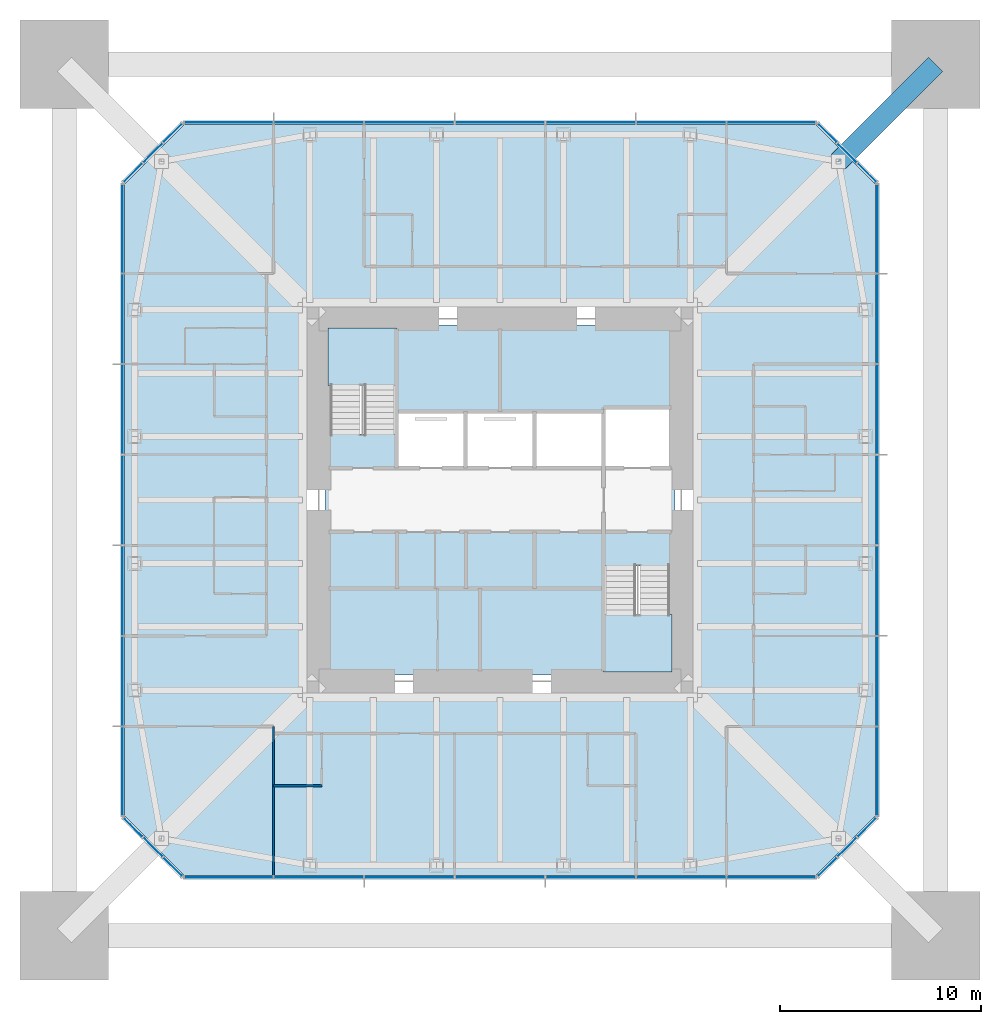
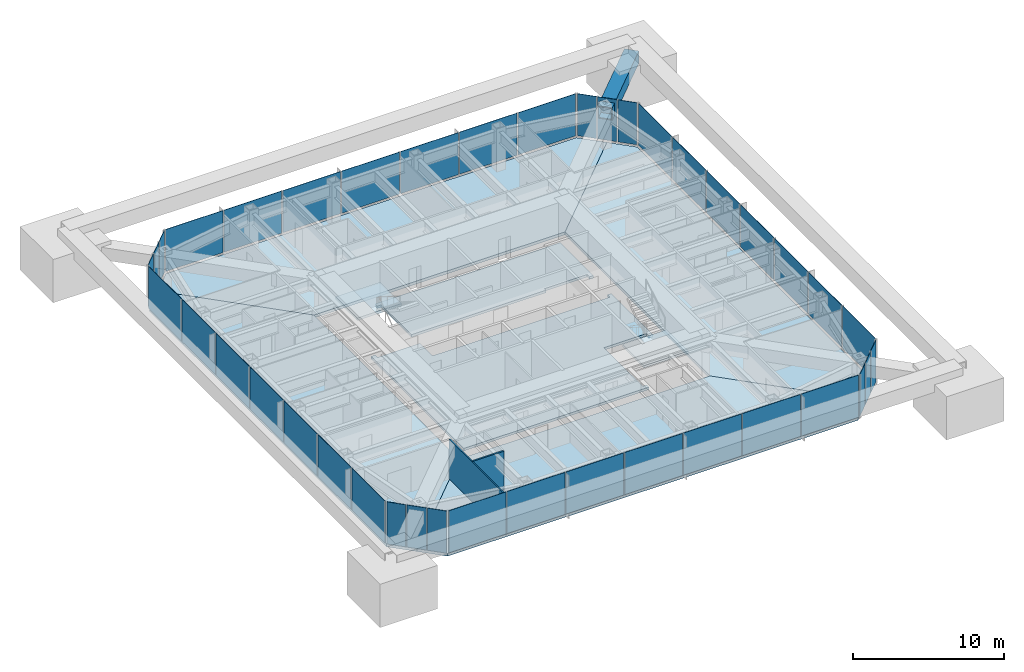
# One storey, part 9 of 15: 40 plates, 8 slabs, 2 walls, 1 member, 10 elements without a shape of their own.
"""IFC4 building model written with IfcOpenShell, lengths in metres."""

from ifc_helpers import new_model, si_unit, direction, frame, frame_2d, origin, origin_2d, place, context, subcontext, project, spatial, polyline, rectangle, hollow_rectangle, outline, extrude, material, layer, layer_set, constituent, constituent_set, material_profile, profile_set, type_object, element, aggregate, save


model = new_model("IFC4")

# Units and contexts
model_context = context("Model", 3, precision=1e-05, world=origin(), true_north=direction((0.0, 1.0)))
body_context = subcontext(model_context, "Body", "Model", "MODEL_VIEW")
ifc_project = project(units=[si_unit("LENGTHUNIT", "METRE"), si_unit("AREAUNIT", "SQUARE_METRE"), si_unit("VOLUMEUNIT", "CUBIC_METRE"), si_unit("PLANEANGLEUNIT", "RADIAN"), si_unit("MASSUNIT", "GRAM", prefix="KILO")], contexts=[model_context])

# Site, building, storey
site_placement = place(None, origin())
site = spatial("IfcSite", under=ifc_project, at=site_placement, CompositionType="ELEMENT")
building_placement = place(site_placement, origin())
building = spatial("IfcBuilding", under=site, at=building_placement, Name="Iwan Alto Co-Living Towers", CompositionType="ELEMENT")
storey_placement = place(building_placement, frame((0.0, 0.0, 205.5)))
storey = spatial("IfcBuildingStorey", under=building, at=storey_placement, Name="L56", CompositionType="ELEMENT", Elevation=205.5)

# Member
ifc_material_1 = material(Name="Steel ASTM A572 Gr 50", Category="steel")
ifc_material_profile = material_profile(ifc_material_1, hollow_rectangle(XDim=1.0, YDim=1.0, WallThickness=0.070068359375, at=origin_2d()), Name="BOX 1000X1000X70")
ifc_profile_set = profile_set([ifc_material_profile], Name="Steel ASTM A572 Gr 50")
member_type = type_object("IfcMemberType", Name="T1 OUTRIGGER CHORD BOX 1000X1000X70", PredefinedType="CHORD", material=ifc_profile_set)
member_placement = place(storey_placement, frame((16.82568359375, 16.82568359375, 2.699951171875), z_axis=(0.707106781187, 0.707106781187, 0.0), x_axis=(-0.707106781187, 0.707106781187, 0.0)))
element("IfcMember", 1, at=member_placement, inside=storey, type_object=member_type, Name="T1 outrigger NE L57 bottom chord 2", PredefinedType="CHORD", context=body_context, shape_type="SweptSolid", body=[
    extrude(hollow_rectangle(XDim=1.0, YDim=1.0, WallThickness=0.070068359375, at=origin_2d()), origin(), (0.0, 0.0, 1.0), 6.822509765625),
])

# Slabs
ifc_material_2 = material(Name="Concrete f'c 30 MPa", Category="concrete")
ifc_layer_1 = layer(ifc_material_2, 0.199951171875)
ifc_layer_set_1 = layer_set([ifc_layer_1], Name="CORE FLOOR SLAB 200")
slab_type_1 = type_object("IfcSlabType", Name="CORE FLOOR SLAB 200", PredefinedType="FLOOR", material=ifc_layer_set_1)
slab_1_placement = place(storey_placement, frame((0.0, 0.0, -0.199951171875)))
element("IfcSlab", 2, at=slab_1_placement, inside=storey, type_object=slab_type_1, Name="T1 core floor L56", PredefinedType="FLOOR", context=body_context, shape_type="SweptSolid", body=[
    extrude(outline(polyline([(5.14990234375, -8.39990234375), (5.4599609375, -8.39990234375), (5.4599609375, -8.699951171875), (-8.699951171875, -8.699951171875), (-8.699951171875, 3.580078125), (-8.39990234375, 3.580078125), (-8.39990234375, 3.27001953125), (-5.14990234375, 3.27001953125), (-5.14990234375, 1.60009765625), (-1.717041015625, 1.60009765625), (1.717041015625, 1.60009765625), (5.14990234375, 1.60009765625), (8.39990234375, 1.60009765625), (8.39990234375, 1.909912109375), (8.699951171875, 1.909912109375), (8.699951171875, -3.580078125), (8.39990234375, -3.580078125), (8.39990234375, -3.27001953125), (5.14990234375, -3.27001953125), (5.14990234375, -8.39990234375)])), origin(), (0.0, 0.0, 1.0), 0.199951171875),
])
slab_2_placement = place(storey_placement, frame((0.0, 0.0, -0.199951171875)))
element("IfcSlab", 3, at=slab_2_placement, inside=storey, type_object=slab_type_1, Name="T1 core floor L56", PredefinedType="FLOOR", context=body_context, shape_type="SweptSolid", body=[
    extrude(outline(polyline([(1.717041015625, 4.39990234375), (-1.717041015625, 4.39990234375), (-5.14990234375, 4.39990234375), (-5.14990234375, 8.39990234375), (-5.4599609375, 8.39990234375), (-5.4599609375, 8.699951171875), (8.699951171875, 8.699951171875), (8.699951171875, 4.2900390625), (8.39990234375, 4.2900390625), (8.39990234375, 4.60009765625), (5.14990234375, 4.60009765625), (5.14990234375, 4.39990234375), (1.717041015625, 4.39990234375)])), origin(), (0.0, 0.0, 1.0), 0.199951171875),
])

# Curtain wall, plates
ifc_material_3 = material(Name="Bronze aluminium unitised frame", Category="aluminium")
curtain_wall_type_1 = type_object("IfcCurtainWallType", Name="CURTAIN WALL CW-A", PredefinedType="NOTDEFINED", material=ifc_material_3)
curtain_wall_1_placement = place(storey_placement, origin())
curtain_wall_1 = element("IfcCurtainWall", 4, at=curtain_wall_1_placement, inside=storey, type_object=curtain_wall_type_1, Name="T1 curtain wall S L56", PredefinedType="NOTDEFINED")
ifc_material_4 = material(Name="Bronze-tinted insulating glass", Category="glass")
ifc_layer_2 = layer(ifc_material_4, 0.031982421875)
ifc_layer_set_2 = layer_set([ifc_layer_2], Name="CW-A PANEL TINTED IGU 32")
plate_type_1 = type_object("IfcPlateType", Name="CW-A PANEL TINTED IGU 32", PredefinedType="CURTAIN_PANEL", material=ifc_layer_set_2)
plate_1_placement = place(storey_placement, frame((-13.47998046875, -18.75, 0.10009765625), z_axis=(0.0, 0.0, 1.0), x_axis=(1.0, 0.0, 0.0)))
plate_1 = element("IfcPlate", 5, at=plate_1_placement, type_object=plate_type_1, Name="CW-A panel 1.1", PredefinedType="CURTAIN_PANEL", context=body_context, shape_type="SweptSolid", body=[
    extrude(rectangle(XDim=4.3798828125, YDim=0.031982421875, at=origin_2d()), origin(), (0.0, 0.0, 1.0), 3.39990234375),
])
plate_2_placement = place(storey_placement, frame((-9.0, -18.75, 0.10009765625), z_axis=(0.0, 0.0, 1.0), x_axis=(1.0, 0.0, 0.0)))
plate_2 = element("IfcPlate", 6, at=plate_2_placement, type_object=plate_type_1, Name="CW-A panel 2.1", PredefinedType="CURTAIN_PANEL", context=body_context, shape_type="SweptSolid", body=[
    extrude(rectangle(XDim=4.419921875, YDim=0.031982421875, at=origin_2d()), origin(), (0.0, 0.0, 1.0), 3.39990234375),
])
plate_3_placement = place(storey_placement, frame((-4.5, -18.75, 0.10009765625), z_axis=(0.0, 0.0, 1.0), x_axis=(1.0, 0.0, 0.0)))
plate_3 = element("IfcPlate", 7, at=plate_3_placement, type_object=plate_type_1, Name="CW-A panel 3.1", PredefinedType="CURTAIN_PANEL", context=body_context, shape_type="SweptSolid", body=[
    extrude(rectangle(XDim=4.419921875, YDim=0.031982421875, at=origin_2d()), origin(), (0.0, 0.0, 1.0), 3.39990234375),
])
plate_4_placement = place(storey_placement, frame((0.0, -18.75, 0.10009765625), z_axis=(0.0, 0.0, 1.0), x_axis=(1.0, 0.0, 0.0)))
plate_4 = element("IfcPlate", 8, at=plate_4_placement, type_object=plate_type_1, Name="CW-A panel 4.1", PredefinedType="CURTAIN_PANEL", context=body_context, shape_type="SweptSolid", body=[
    extrude(rectangle(XDim=4.419921875, YDim=0.031982421875, at=origin_2d()), origin(), (0.0, 0.0, 1.0), 3.39990234375),
])
plate_5_placement = place(storey_placement, frame((4.5, -18.75, 0.10009765625), z_axis=(0.0, 0.0, 1.0), x_axis=(1.0, 0.0, 0.0)))
plate_5 = element("IfcPlate", 9, at=plate_5_placement, type_object=plate_type_1, Name="CW-A panel 5.1", PredefinedType="CURTAIN_PANEL", context=body_context, shape_type="SweptSolid", body=[
    extrude(rectangle(XDim=4.419921875, YDim=0.031982421875, at=origin_2d()), origin(), (0.0, 0.0, 1.0), 3.39990234375),
])
plate_6_placement = place(storey_placement, frame((9.0, -18.75, 0.10009765625), z_axis=(0.0, 0.0, 1.0), x_axis=(1.0, 0.0, 0.0)))
plate_6 = element("IfcPlate", 10, at=plate_6_placement, type_object=plate_type_1, Name="CW-A panel 6.1", PredefinedType="CURTAIN_PANEL", context=body_context, shape_type="SweptSolid", body=[
    extrude(rectangle(XDim=4.419921875, YDim=0.031982421875, at=origin_2d()), origin(), (0.0, 0.0, 1.0), 3.39990234375),
])
plate_7_placement = place(storey_placement, frame((13.47998046875, -18.75, 0.10009765625), z_axis=(0.0, 0.0, 1.0), x_axis=(1.0, 0.0, 0.0)))
plate_7 = element("IfcPlate", 11, at=plate_7_placement, type_object=plate_type_1, Name="CW-A panel 7.1", PredefinedType="CURTAIN_PANEL", context=body_context, shape_type="SweptSolid", body=[
    extrude(rectangle(XDim=4.3798828125, YDim=0.031982421875, at=origin_2d()), origin(), (0.0, 0.0, 1.0), 3.39990234375),
])
aggregate(curtain_wall_1, [plate_1, plate_2, plate_3, plate_4, plate_5, plate_6, plate_7])

curtain_wall_2_placement = place(storey_placement, origin())
curtain_wall_2 = element("IfcCurtainWall", 12, at=curtain_wall_2_placement, inside=storey, type_object=curtain_wall_type_1, Name="T1 curtain wall E L56", PredefinedType="NOTDEFINED")
plate_8_placement = place(storey_placement, frame((18.75, -13.47998046875, 0.10009765625), z_axis=(0.0, 0.0, 1.0), x_axis=(0.0, 1.0, 0.0)))
plate_8 = element("IfcPlate", 13, at=plate_8_placement, type_object=plate_type_1, Name="CW-A panel 1.1", PredefinedType="CURTAIN_PANEL", context=body_context, shape_type="SweptSolid", body=[
    extrude(rectangle(XDim=4.3798828125, YDim=0.031982421875, at=origin_2d()), origin(), (0.0, 0.0, 1.0), 3.39990234375),
])
plate_9_placement = place(storey_placement, frame((18.75, -9.0, 0.10009765625), z_axis=(0.0, 0.0, 1.0), x_axis=(0.0, 1.0, 0.0)))
plate_9 = element("IfcPlate", 14, at=plate_9_placement, type_object=plate_type_1, Name="CW-A panel 2.1", PredefinedType="CURTAIN_PANEL", context=body_context, shape_type="SweptSolid", body=[
    extrude(rectangle(XDim=4.419921875, YDim=0.031982421875, at=origin_2d()), origin(), (0.0, 0.0, 1.0), 3.39990234375),
])
plate_10_placement = place(storey_placement, frame((18.75, -4.5, 0.10009765625), z_axis=(0.0, 0.0, 1.0), x_axis=(0.0, 1.0, 0.0)))
plate_10 = element("IfcPlate", 15, at=plate_10_placement, type_object=plate_type_1, Name="CW-A panel 3.1", PredefinedType="CURTAIN_PANEL", context=body_context, shape_type="SweptSolid", body=[
    extrude(rectangle(XDim=4.419921875, YDim=0.031982421875, at=origin_2d()), origin(), (0.0, 0.0, 1.0), 3.39990234375),
])
plate_11_placement = place(storey_placement, frame((18.75, 0.0, 0.10009765625), z_axis=(0.0, 0.0, 1.0), x_axis=(0.0, 1.0, 0.0)))
plate_11 = element("IfcPlate", 16, at=plate_11_placement, type_object=plate_type_1, Name="CW-A panel 4.1", PredefinedType="CURTAIN_PANEL", context=body_context, shape_type="SweptSolid", body=[
    extrude(rectangle(XDim=4.419921875, YDim=0.031982421875, at=origin_2d()), origin(), (0.0, 0.0, 1.0), 3.39990234375),
])
plate_12_placement = place(storey_placement, frame((18.75, 4.5, 0.10009765625), z_axis=(0.0, 0.0, 1.0), x_axis=(0.0, 1.0, 0.0)))
plate_12 = element("IfcPlate", 17, at=plate_12_placement, type_object=plate_type_1, Name="CW-A panel 5.1", PredefinedType="CURTAIN_PANEL", context=body_context, shape_type="SweptSolid", body=[
    extrude(rectangle(XDim=4.419921875, YDim=0.031982421875, at=origin_2d()), origin(), (0.0, 0.0, 1.0), 3.39990234375),
])
plate_13_placement = place(storey_placement, frame((18.75, 9.0, 0.10009765625), z_axis=(0.0, 0.0, 1.0), x_axis=(0.0, 1.0, 0.0)))
plate_13 = element("IfcPlate", 18, at=plate_13_placement, type_object=plate_type_1, Name="CW-A panel 6.1", PredefinedType="CURTAIN_PANEL", context=body_context, shape_type="SweptSolid", body=[
    extrude(rectangle(XDim=4.419921875, YDim=0.031982421875, at=origin_2d()), origin(), (0.0, 0.0, 1.0), 3.39990234375),
])
plate_14_placement = place(storey_placement, frame((18.75, 13.47998046875, 0.10009765625), z_axis=(0.0, 0.0, 1.0), x_axis=(0.0, 1.0, 0.0)))
plate_14 = element("IfcPlate", 19, at=plate_14_placement, type_object=plate_type_1, Name="CW-A panel 7.1", PredefinedType="CURTAIN_PANEL", context=body_context, shape_type="SweptSolid", body=[
    extrude(rectangle(XDim=4.3798828125, YDim=0.031982421875, at=origin_2d()), origin(), (0.0, 0.0, 1.0), 3.39990234375),
])
aggregate(curtain_wall_2, [plate_8, plate_9, plate_10, plate_11, plate_12, plate_13, plate_14])

curtain_wall_3_placement = place(storey_placement, origin())
curtain_wall_3 = element("IfcCurtainWall", 20, at=curtain_wall_3_placement, inside=storey, type_object=curtain_wall_type_1, Name="T1 curtain wall N L56", PredefinedType="NOTDEFINED")
plate_15_placement = place(storey_placement, frame((13.47998046875, 18.75, 0.10009765625), z_axis=(0.0, 0.0, 1.0), x_axis=(-1.0, 0.0, 0.0)))
plate_15 = element("IfcPlate", 21, at=plate_15_placement, type_object=plate_type_1, Name="CW-A panel 1.1", PredefinedType="CURTAIN_PANEL", context=body_context, shape_type="SweptSolid", body=[
    extrude(rectangle(XDim=4.3798828125, YDim=0.031982421875, at=origin_2d()), origin(), (0.0, 0.0, 1.0), 3.39990234375),
])
plate_16_placement = place(storey_placement, frame((9.0, 18.75, 0.10009765625), z_axis=(0.0, 0.0, 1.0), x_axis=(-1.0, 0.0, 0.0)))
plate_16 = element("IfcPlate", 22, at=plate_16_placement, type_object=plate_type_1, Name="CW-A panel 2.1", PredefinedType="CURTAIN_PANEL", context=body_context, shape_type="SweptSolid", body=[
    extrude(rectangle(XDim=4.419921875, YDim=0.031982421875, at=origin_2d()), origin(), (0.0, 0.0, 1.0), 3.39990234375),
])
plate_17_placement = place(storey_placement, frame((4.5, 18.75, 0.10009765625), z_axis=(0.0, 0.0, 1.0), x_axis=(-1.0, 0.0, 0.0)))
plate_17 = element("IfcPlate", 23, at=plate_17_placement, type_object=plate_type_1, Name="CW-A panel 3.1", PredefinedType="CURTAIN_PANEL", context=body_context, shape_type="SweptSolid", body=[
    extrude(rectangle(XDim=4.419921875, YDim=0.031982421875, at=origin_2d()), origin(), (0.0, 0.0, 1.0), 3.39990234375),
])
plate_18_placement = place(storey_placement, frame((0.0, 18.75, 0.10009765625), z_axis=(0.0, 0.0, 1.0), x_axis=(-1.0, 0.0, 0.0)))
plate_18 = element("IfcPlate", 24, at=plate_18_placement, type_object=plate_type_1, Name="CW-A panel 4.1", PredefinedType="CURTAIN_PANEL", context=body_context, shape_type="SweptSolid", body=[
    extrude(rectangle(XDim=4.419921875, YDim=0.031982421875, at=origin_2d()), origin(), (0.0, 0.0, 1.0), 3.39990234375),
])
plate_19_placement = place(storey_placement, frame((-4.5, 18.75, 0.10009765625), z_axis=(0.0, 0.0, 1.0), x_axis=(-1.0, 0.0, 0.0)))
plate_19 = element("IfcPlate", 25, at=plate_19_placement, type_object=plate_type_1, Name="CW-A panel 5.1", PredefinedType="CURTAIN_PANEL", context=body_context, shape_type="SweptSolid", body=[
    extrude(rectangle(XDim=4.419921875, YDim=0.031982421875, at=origin_2d()), origin(), (0.0, 0.0, 1.0), 3.39990234375),
])
plate_20_placement = place(storey_placement, frame((-9.0, 18.75, 0.10009765625), z_axis=(0.0, 0.0, 1.0), x_axis=(-1.0, 0.0, 0.0)))
plate_20 = element("IfcPlate", 26, at=plate_20_placement, type_object=plate_type_1, Name="CW-A panel 6.1", PredefinedType="CURTAIN_PANEL", context=body_context, shape_type="SweptSolid", body=[
    extrude(rectangle(XDim=4.419921875, YDim=0.031982421875, at=origin_2d()), origin(), (0.0, 0.0, 1.0), 3.39990234375),
])
plate_21_placement = place(storey_placement, frame((-13.47998046875, 18.75, 0.10009765625), z_axis=(0.0, 0.0, 1.0), x_axis=(-1.0, 0.0, 0.0)))
plate_21 = element("IfcPlate", 27, at=plate_21_placement, type_object=plate_type_1, Name="CW-A panel 7.1", PredefinedType="CURTAIN_PANEL", context=body_context, shape_type="SweptSolid", body=[
    extrude(rectangle(XDim=4.3798828125, YDim=0.031982421875, at=origin_2d()), origin(), (0.0, 0.0, 1.0), 3.39990234375),
])
aggregate(curtain_wall_3, [plate_15, plate_16, plate_17, plate_18, plate_19, plate_20, plate_21])

curtain_wall_4_placement = place(storey_placement, origin())
curtain_wall_4 = element("IfcCurtainWall", 28, at=curtain_wall_4_placement, inside=storey, type_object=curtain_wall_type_1, Name="T1 curtain wall W L56", PredefinedType="NOTDEFINED")
plate_22_placement = place(storey_placement, frame((-18.75, 13.47998046875, 0.10009765625), z_axis=(0.0, 0.0, 1.0), x_axis=(0.0, -1.0, 0.0)))
plate_22 = element("IfcPlate", 29, at=plate_22_placement, type_object=plate_type_1, Name="CW-A panel 1.1", PredefinedType="CURTAIN_PANEL", context=body_context, shape_type="SweptSolid", body=[
    extrude(rectangle(XDim=4.3798828125, YDim=0.031982421875, at=origin_2d()), origin(), (0.0, 0.0, 1.0), 3.39990234375),
])
plate_23_placement = place(storey_placement, frame((-18.75, 9.0, 0.10009765625), z_axis=(0.0, 0.0, 1.0), x_axis=(0.0, -1.0, 0.0)))
plate_23 = element("IfcPlate", 30, at=plate_23_placement, type_object=plate_type_1, Name="CW-A panel 2.1", PredefinedType="CURTAIN_PANEL", context=body_context, shape_type="SweptSolid", body=[
    extrude(rectangle(XDim=4.419921875, YDim=0.031982421875, at=origin_2d()), origin(), (0.0, 0.0, 1.0), 3.39990234375),
])
plate_24_placement = place(storey_placement, frame((-18.75, 4.5, 0.10009765625), z_axis=(0.0, 0.0, 1.0), x_axis=(0.0, -1.0, 0.0)))
plate_24 = element("IfcPlate", 31, at=plate_24_placement, type_object=plate_type_1, Name="CW-A panel 3.1", PredefinedType="CURTAIN_PANEL", context=body_context, shape_type="SweptSolid", body=[
    extrude(rectangle(XDim=4.419921875, YDim=0.031982421875, at=origin_2d()), origin(), (0.0, 0.0, 1.0), 3.39990234375),
])
plate_25_placement = place(storey_placement, frame((-18.75, 0.0, 0.10009765625), z_axis=(0.0, 0.0, 1.0), x_axis=(0.0, -1.0, 0.0)))
plate_25 = element("IfcPlate", 32, at=plate_25_placement, type_object=plate_type_1, Name="CW-A panel 4.1", PredefinedType="CURTAIN_PANEL", context=body_context, shape_type="SweptSolid", body=[
    extrude(rectangle(XDim=4.419921875, YDim=0.031982421875, at=origin_2d()), origin(), (0.0, 0.0, 1.0), 3.39990234375),
])
plate_26_placement = place(storey_placement, frame((-18.75, -4.5, 0.10009765625), z_axis=(0.0, 0.0, 1.0), x_axis=(0.0, -1.0, 0.0)))
plate_26 = element("IfcPlate", 33, at=plate_26_placement, type_object=plate_type_1, Name="CW-A panel 5.1", PredefinedType="CURTAIN_PANEL", context=body_context, shape_type="SweptSolid", body=[
    extrude(rectangle(XDim=4.419921875, YDim=0.031982421875, at=origin_2d()), origin(), (0.0, 0.0, 1.0), 3.39990234375),
])
plate_27_placement = place(storey_placement, frame((-18.75, -9.0, 0.10009765625), z_axis=(0.0, 0.0, 1.0), x_axis=(0.0, -1.0, 0.0)))
plate_27 = element("IfcPlate", 34, at=plate_27_placement, type_object=plate_type_1, Name="CW-A panel 6.1", PredefinedType="CURTAIN_PANEL", context=body_context, shape_type="SweptSolid", body=[
    extrude(rectangle(XDim=4.419921875, YDim=0.031982421875, at=origin_2d()), origin(), (0.0, 0.0, 1.0), 3.39990234375),
])
plate_28_placement = place(storey_placement, frame((-18.75, -13.47998046875, 0.10009765625), z_axis=(0.0, 0.0, 1.0), x_axis=(0.0, -1.0, 0.0)))
plate_28 = element("IfcPlate", 35, at=plate_28_placement, type_object=plate_type_1, Name="CW-A panel 7.1", PredefinedType="CURTAIN_PANEL", context=body_context, shape_type="SweptSolid", body=[
    extrude(rectangle(XDim=4.3798828125, YDim=0.031982421875, at=origin_2d()), origin(), (0.0, 0.0, 1.0), 3.39990234375),
])
aggregate(curtain_wall_4, [plate_22, plate_23, plate_24, plate_25, plate_26, plate_27, plate_28])

ifc_material_5 = material(Name="Bronze aluminium unitised frame", Category="aluminium")
curtain_wall_type_2 = type_object("IfcCurtainWallType", Name="CURTAIN WALL CW-B", PredefinedType="NOTDEFINED", material=ifc_material_5)
curtain_wall_5_placement = place(storey_placement, origin())
curtain_wall_5 = element("IfcCurtainWall", 36, at=curtain_wall_5_placement, inside=storey, type_object=curtain_wall_type_2, Name="T1 chamfer curtain wall SE L56", PredefinedType="NOTDEFINED")
ifc_material_6 = material(Name="Bronze-tinted insulating glass", Category="glass")
ifc_layer_3 = layer(ifc_material_6, 0.031982421875)
ifc_layer_set_3 = layer_set([ifc_layer_3], Name="CW-B PANEL TINTED IGU 32")
plate_type_2 = type_object("IfcPlateType", Name="CW-B PANEL TINTED IGU 32", PredefinedType="CURTAIN_PANEL", material=ifc_layer_set_3)
plate_29_placement = place(storey_placement, frame((16.26416015625, -18.23583984375, 0.10009765625), z_axis=(0.0, 0.0, 1.0), x_axis=(0.707106781187, 0.707106781187, 0.0)))
plate_29 = element("IfcPlate", 37, at=plate_29_placement, type_object=plate_type_2, Name="CW-B panel 1.1", PredefinedType="CURTAIN_PANEL", context=body_context, shape_type="SweptSolid", body=[
    extrude(rectangle(XDim=1.294189453125, YDim=0.031982421875, at=origin_2d()), origin(), (0.0, 0.0, 1.0), 3.39990234375),
])
plate_30_placement = place(storey_placement, frame((17.25, -17.25, 0.10009765625), z_axis=(0.0, 0.0, 1.0), x_axis=(0.707106781187, 0.707106781187, 0.0)))
plate_30 = element("IfcPlate", 38, at=plate_30_placement, type_object=plate_type_2, Name="CW-B panel 2.1", PredefinedType="CURTAIN_PANEL", context=body_context, shape_type="SweptSolid", body=[
    extrude(rectangle(XDim=1.334228515625, YDim=0.031982421875, at=origin_2d()), origin(), (0.0, 0.0, 1.0), 3.39990234375),
])
plate_31_placement = place(storey_placement, frame((18.23583984375, -16.26416015625, 0.10009765625), z_axis=(0.0, 0.0, 1.0), x_axis=(0.707106781187, 0.707106781187, 0.0)))
plate_31 = element("IfcPlate", 39, at=plate_31_placement, type_object=plate_type_2, Name="CW-B panel 3.1", PredefinedType="CURTAIN_PANEL", context=body_context, shape_type="SweptSolid", body=[
    extrude(rectangle(XDim=1.294189453125, YDim=0.031982421875, at=origin_2d()), origin(), (0.0, 0.0, 1.0), 3.39990234375),
])
aggregate(curtain_wall_5, [plate_29, plate_30, plate_31])

curtain_wall_6_placement = place(storey_placement, origin())
curtain_wall_6 = element("IfcCurtainWall", 40, at=curtain_wall_6_placement, inside=storey, type_object=curtain_wall_type_2, Name="T1 chamfer curtain wall NE L56", PredefinedType="NOTDEFINED")
plate_32_placement = place(storey_placement, frame((18.23583984375, 16.26416015625, 0.10009765625), z_axis=(0.0, 0.0, 1.0), x_axis=(-0.707106781187, 0.707106781187, 0.0)))
plate_32 = element("IfcPlate", 41, at=plate_32_placement, type_object=plate_type_2, Name="CW-B panel 1.1", PredefinedType="CURTAIN_PANEL", context=body_context, shape_type="SweptSolid", body=[
    extrude(rectangle(XDim=1.294189453125, YDim=0.031982421875, at=origin_2d()), origin(), (0.0, 0.0, 1.0), 3.39990234375),
])
plate_33_placement = place(storey_placement, frame((17.25, 17.25, 0.10009765625), z_axis=(0.0, 0.0, 1.0), x_axis=(-0.707106781187, 0.707106781187, 0.0)))
plate_33 = element("IfcPlate", 42, at=plate_33_placement, type_object=plate_type_2, Name="CW-B panel 2.1", PredefinedType="CURTAIN_PANEL", context=body_context, shape_type="SweptSolid", body=[
    extrude(rectangle(XDim=1.334228515625, YDim=0.031982421875, at=origin_2d()), origin(), (0.0, 0.0, 1.0), 3.39990234375),
])
plate_34_placement = place(storey_placement, frame((16.26416015625, 18.23583984375, 0.10009765625), z_axis=(0.0, 0.0, 1.0), x_axis=(-0.707106781187, 0.707106781187, 0.0)))
plate_34 = element("IfcPlate", 43, at=plate_34_placement, type_object=plate_type_2, Name="CW-B panel 3.1", PredefinedType="CURTAIN_PANEL", context=body_context, shape_type="SweptSolid", body=[
    extrude(rectangle(XDim=1.294189453125, YDim=0.031982421875, at=origin_2d()), origin(), (0.0, 0.0, 1.0), 3.39990234375),
])
aggregate(curtain_wall_6, [plate_32, plate_33, plate_34])

curtain_wall_7_placement = place(storey_placement, origin())
curtain_wall_7 = element("IfcCurtainWall", 44, at=curtain_wall_7_placement, inside=storey, type_object=curtain_wall_type_2, Name="T1 chamfer curtain wall NW L56", PredefinedType="NOTDEFINED")
plate_35_placement = place(storey_placement, frame((-16.26416015625, 18.23583984375, 0.10009765625), z_axis=(0.0, 0.0, 1.0), x_axis=(-0.707106781187, -0.707106781187, 0.0)))
plate_35 = element("IfcPlate", 45, at=plate_35_placement, type_object=plate_type_2, Name="CW-B panel 1.1", PredefinedType="CURTAIN_PANEL", context=body_context, shape_type="SweptSolid", body=[
    extrude(rectangle(XDim=1.294189453125, YDim=0.031982421875, at=origin_2d()), origin(), (0.0, 0.0, 1.0), 3.39990234375),
])
plate_36_placement = place(storey_placement, frame((-17.25, 17.25, 0.10009765625), z_axis=(0.0, 0.0, 1.0), x_axis=(-0.707106781187, -0.707106781187, 0.0)))
plate_36 = element("IfcPlate", 46, at=plate_36_placement, type_object=plate_type_2, Name="CW-B panel 2.1", PredefinedType="CURTAIN_PANEL", context=body_context, shape_type="SweptSolid", body=[
    extrude(rectangle(XDim=1.334228515625, YDim=0.031982421875, at=origin_2d()), origin(), (0.0, 0.0, 1.0), 3.39990234375),
])
plate_37_placement = place(storey_placement, frame((-18.23583984375, 16.26416015625, 0.10009765625), z_axis=(0.0, 0.0, 1.0), x_axis=(-0.707106781187, -0.707106781187, 0.0)))
plate_37 = element("IfcPlate", 47, at=plate_37_placement, type_object=plate_type_2, Name="CW-B panel 3.1", PredefinedType="CURTAIN_PANEL", context=body_context, shape_type="SweptSolid", body=[
    extrude(rectangle(XDim=1.294189453125, YDim=0.031982421875, at=origin_2d()), origin(), (0.0, 0.0, 1.0), 3.39990234375),
])
aggregate(curtain_wall_7, [plate_35, plate_36, plate_37])

curtain_wall_8_placement = place(storey_placement, origin())
curtain_wall_8 = element("IfcCurtainWall", 48, at=curtain_wall_8_placement, inside=storey, type_object=curtain_wall_type_2, Name="T1 chamfer curtain wall SW L56", PredefinedType="NOTDEFINED")
plate_38_placement = place(storey_placement, frame((-18.23583984375, -16.26416015625, 0.10009765625), z_axis=(0.0, 0.0, 1.0), x_axis=(0.707106781187, -0.707106781187, 0.0)))
plate_38 = element("IfcPlate", 49, at=plate_38_placement, type_object=plate_type_2, Name="CW-B panel 1.1", PredefinedType="CURTAIN_PANEL", context=body_context, shape_type="SweptSolid", body=[
    extrude(rectangle(XDim=1.294189453125, YDim=0.031982421875, at=origin_2d()), origin(), (0.0, 0.0, 1.0), 3.39990234375),
])
plate_39_placement = place(storey_placement, frame((-17.25, -17.25, 0.10009765625), z_axis=(0.0, 0.0, 1.0), x_axis=(0.707106781187, -0.707106781187, 0.0)))
plate_39 = element("IfcPlate", 50, at=plate_39_placement, type_object=plate_type_2, Name="CW-B panel 2.1", PredefinedType="CURTAIN_PANEL", context=body_context, shape_type="SweptSolid", body=[
    extrude(rectangle(XDim=1.334228515625, YDim=0.031982421875, at=origin_2d()), origin(), (0.0, 0.0, 1.0), 3.39990234375),
])
plate_40_placement = place(storey_placement, frame((-16.26416015625, -18.23583984375, 0.10009765625), z_axis=(0.0, 0.0, 1.0), x_axis=(0.707106781187, -0.707106781187, 0.0)))
plate_40 = element("IfcPlate", 51, at=plate_40_placement, type_object=plate_type_2, Name="CW-B panel 3.1", PredefinedType="CURTAIN_PANEL", context=body_context, shape_type="SweptSolid", body=[
    extrude(rectangle(XDim=1.294189453125, YDim=0.031982421875, at=origin_2d()), origin(), (0.0, 0.0, 1.0), 3.39990234375),
])
aggregate(curtain_wall_8, [plate_38, plate_39, plate_40])

# Stair, slab
ifc_material_7 = material(Name="Steel ASTM A36", Category="steel")
ifc_constituent_1 = constituent(ifc_material_7, Name="Stringers", Category="LoadBearing")
ifc_material_8 = material(Name="Concrete f'c 30 MPa", Category="concrete")
ifc_constituent_2 = constituent(ifc_material_8, Name="Tread fill", Category="Finish")
ifc_constituent_set = constituent_set(constituents=[ifc_constituent_1, ifc_constituent_2], Name="STAIR 3500 TWO-FLIGHT T1 CORE")
stair_type = type_object("IfcStairType", Name="STAIR 3500 TWO-FLIGHT T1 CORE", PredefinedType="HALF_TURN_STAIR", material=ifc_constituent_set)
stair_1_placement = place(storey_placement, origin())
stair_1 = element("IfcStair", 52, at=stair_1_placement, inside=storey, type_object=stair_type, Name="Stair T1-S1 L56 to L57", PredefinedType="HALF_TURN_STAIR")
ifc_material_9 = material(Name="Concrete f'c 30 MPa", Category="concrete")
ifc_layer_4 = layer(ifc_material_9, 0.199951171875)
ifc_layer_set_4 = layer_set([ifc_layer_4], Name="STAIR LANDING 200")
slab_type_2 = type_object("IfcSlabType", Name="STAIR LANDING 200", PredefinedType="LANDING", material=ifc_layer_set_4)
slab_3_placement = place(storey_placement, frame((0.0, 0.0, 1.550048828125)))
slab_3 = element("IfcSlab", 53, at=slab_3_placement, type_object=slab_type_2, Name="T1-S1 landing 1", PredefinedType="LANDING", context=body_context, shape_type="SweptSolid", body=[
    extrude(outline(polyline([(-8.550048828125, 5.68994140625), (-8.550048828125, 8.550048828125), (-5.14990234375, 8.550048828125), (-5.14990234375, 5.68994140625), (-8.550048828125, 5.68994140625)])), origin(), (0.0, 0.0, 1.0), 0.199951171875),
])
aggregate(stair_1, [slab_3])

stair_2_placement = place(storey_placement, origin())
stair_2 = element("IfcStair", 54, at=stair_2_placement, inside=storey, type_object=stair_type, Name="Stair T1-S2 L56 to L57", PredefinedType="HALF_TURN_STAIR")
slab_4_placement = place(storey_placement, frame((0.0, 0.0, 1.550048828125)))
slab_4 = element("IfcSlab", 55, at=slab_4_placement, type_object=slab_type_2, Name="T1-S2 landing 1", PredefinedType="LANDING", context=body_context, shape_type="SweptSolid", body=[
    extrude(outline(polyline([(5.14990234375, -5.68994140625), (5.14990234375, -8.550048828125), (8.550048828125, -8.550048828125), (8.550048828125, -5.68994140625), (5.14990234375, -5.68994140625)])), origin(), (0.0, 0.0, 1.0), 0.199951171875),
])
aggregate(stair_2, [slab_4])

# Slabs
ifc_material_10 = material(Name="Concrete f'c 30 MPa", Category="concrete")
ifc_layer_5 = layer(ifc_material_10, 0.22998046875)
ifc_layer_set_5 = layer_set([ifc_layer_5], Name="T1 FLOOR SLAB 230")
slab_type_3 = type_object("IfcSlabType", Name="T1 FLOOR SLAB 230", PredefinedType="FLOOR", material=ifc_layer_set_5)
slab_5_placement = place(storey_placement, frame((0.0, 0.0, -0.22998046875)))
element("IfcSlab", 56, at=slab_5_placement, inside=storey, type_object=slab_type_3, Name="T1 floor slab L56 S pour", PredefinedType="FLOOR", context=body_context, shape_type="SweptSolid", body=[
    extrude(outline(polyline([(15.69140625, -18.64990234375), (-15.69140625, -18.64990234375), (-17.170654296875, -17.170654296875), (-9.60009765625, -9.60009765625), (9.60009765625, -9.60009765625), (17.170654296875, -17.170654296875), (15.69140625, -18.64990234375)])), origin(), (0.0, 0.0, 1.0), 0.22998046875),
])
slab_6_placement = place(storey_placement, frame((0.0, 0.0, -0.22998046875)))
element("IfcSlab", 57, at=slab_6_placement, inside=storey, type_object=slab_type_3, Name="T1 floor slab L56 E pour", PredefinedType="FLOOR", context=body_context, shape_type="SweptSolid", body=[
    extrude(outline(polyline([(18.64990234375, 15.69140625), (18.64990234375, -15.69140625), (17.170654296875, -17.170654296875), (9.60009765625, -9.60009765625), (9.60009765625, 9.60009765625), (17.170654296875, 17.170654296875), (18.64990234375, 15.69140625)])), origin(), (0.0, 0.0, 1.0), 0.22998046875),
])
slab_7_placement = place(storey_placement, frame((0.0, 0.0, -0.22998046875)))
element("IfcSlab", 58, at=slab_7_placement, inside=storey, type_object=slab_type_3, Name="T1 floor slab L56 N pour", PredefinedType="FLOOR", context=body_context, shape_type="SweptSolid", body=[
    extrude(outline(polyline([(-15.69140625, 18.64990234375), (15.69140625, 18.64990234375), (17.170654296875, 17.170654296875), (9.60009765625, 9.60009765625), (-9.60009765625, 9.60009765625), (-17.170654296875, 17.170654296875), (-15.69140625, 18.64990234375)])), origin(), (0.0, 0.0, 1.0), 0.22998046875),
])
slab_8_placement = place(storey_placement, frame((0.0, 0.0, -0.22998046875)))
element("IfcSlab", 59, at=slab_8_placement, inside=storey, type_object=slab_type_3, Name="T1 floor slab L56 W pour", PredefinedType="FLOOR", context=body_context, shape_type="SweptSolid", body=[
    extrude(outline(polyline([(-18.64990234375, 15.69140625), (-17.170654296875, 17.170654296875), (-9.60009765625, 9.60009765625), (-9.60009765625, -9.60009765625), (-17.170654296875, -17.170654296875), (-18.64990234375, -15.69140625), (-18.64990234375, 15.69140625)])), origin(), (0.0, 0.0, 1.0), 0.22998046875),
])

# Walls
ifc_material_11 = material(Name="Gypsum board")
ifc_layer_6 = layer(ifc_material_11, 0.012451171875, Name="Board", Category="Finish")
ifc_material_12 = material(Name="Steel ASTM A1003 ST33H cold-formed studs", Category="steel")
ifc_layer_7 = layer(ifc_material_12, 0.074951171875, Name="Studs", Category="Framing")
ifc_layer_8 = layer(ifc_material_11, 0.012451171875, Name="Board", Category="Finish")
ifc_layer_set_6 = layer_set([ifc_layer_6, ifc_layer_7, ifc_layer_8], Name="PARTITION 100")
wall_type_1 = type_object("IfcWallType", Name="PARTITION 100", PredefinedType="PARTITIONING", material=ifc_layer_set_6)
wall_1_placement = place(storey_placement, frame((-11.25, -18.68994140625, 0.0), z_axis=(0.0, 0.0, 1.0), x_axis=(0.0, 1.0, 0.0)))
element("IfcWall", 60, at=wall_1_placement, inside=storey, type_object=wall_type_1, Name="Partition L56", PredefinedType="PARTITIONING", context=body_context, shape_type="SweptSolid", body=[
    extrude(rectangle(XDim=7.43994140625, YDim=0.10009765625, at=frame_2d((3.719970703125, 0.0))), origin(), (0.0, 0.0, 1.0), 3.199951171875),
])
ifc_material_13 = material(Name="Cement board")
ifc_layer_9 = layer(ifc_material_13, 0.012451171875, Name="Board", Category="Finish")
ifc_layer_10 = layer(ifc_material_12, 0.094970703125, Name="Studs", Category="Framing")
ifc_layer_11 = layer(ifc_material_13, 0.012451171875, Name="Board", Category="Finish")
ifc_layer_set_7 = layer_set([ifc_layer_9, ifc_layer_10, ifc_layer_11], Name="WET AREA PARTITION 120")
wall_type_2 = type_object("IfcWallType", Name="WET AREA PARTITION 120", PredefinedType="PARTITIONING", material=ifc_layer_set_7)
wall_2_placement = place(storey_placement, frame((-11.25, -14.199951171875, 0.0), z_axis=(0.0, 0.0, 1.0), x_axis=(1.0, 0.0, 0.0)))
element("IfcWall", 61, at=wall_2_placement, inside=storey, type_object=wall_type_2, Name="Partition L56", PredefinedType="PARTITIONING", context=body_context, shape_type="SweptSolid", body=[
    extrude(rectangle(XDim=2.39990234375, YDim=0.1201171875, at=frame_2d((1.199951171875, 0.0))), origin(), (0.0, 0.0, 1.0), 3.199951171875),
])

save(model, "model.ifc")
